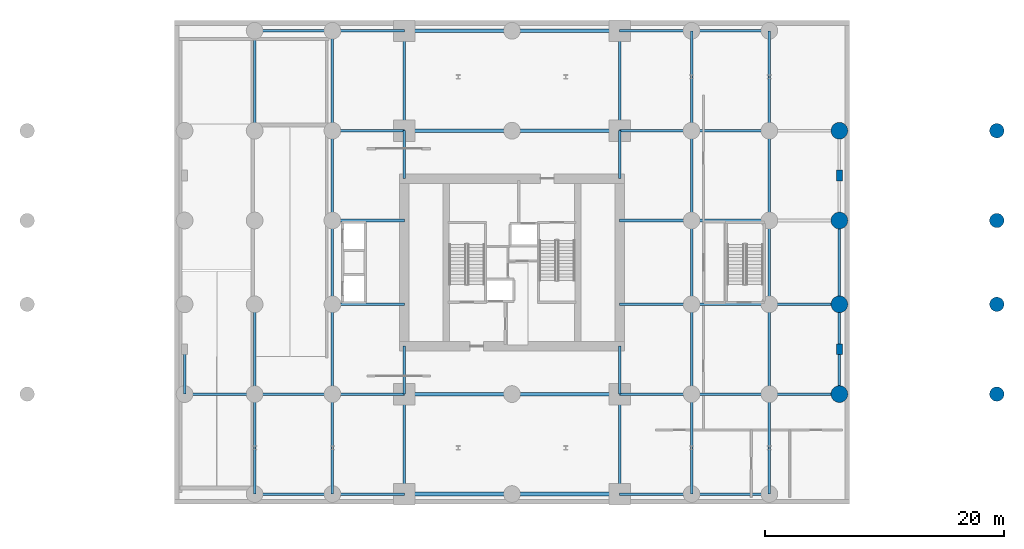
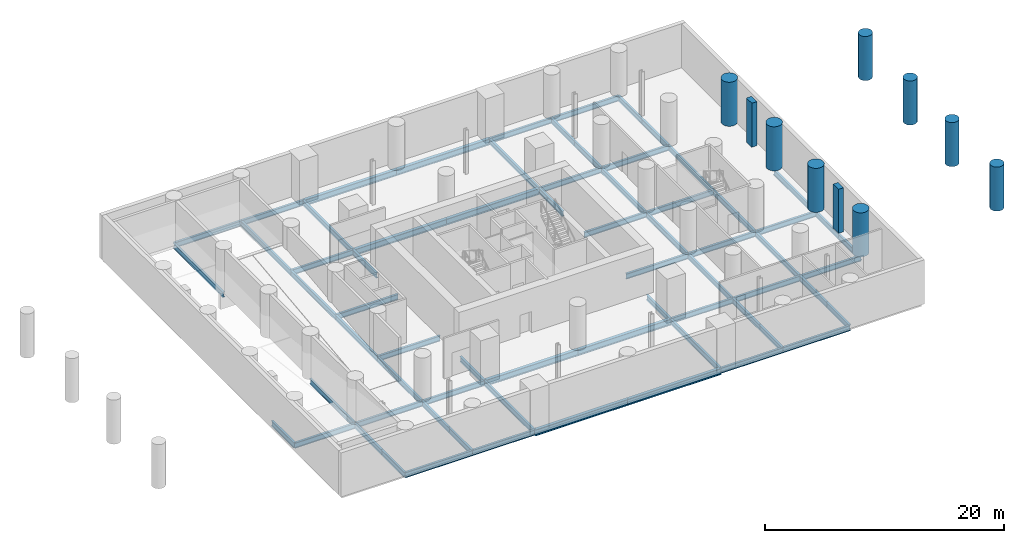
# One storey, part 4 of 8: 68 beams, 10 columns.
"""IFC4 building model written with IfcOpenShell, lengths in metres."""

import ifcopenshell
import ifcopenshell.guid

model = None  # the IFC model being written
_history = None  # IfcOwnerHistory: only IFC2X3 demands one
_inside = {}  # id of a spatial element -> (the spatial element, [elements in it])
_under = {}  # id of a project, library or spatial element -> (it, [spatial elements below it])
_declared = {}  # id of a project -> (the project, [libraries it declares])
_typed = {}  # id of a type object -> (the type object, [elements of that type])
_made_of = {}  # id of a material, layer set ... -> (it, [elements and type objects made of it])


def new_model(schema):
    """Start an empty IFC model of exactly this schema.

    Asked for "IFC4X3", IfcOpenShell would pick the latest addendum, in which some entities
    have other attributes; the version numbers below select the first issue.
    IFC2X3 requires an IfcOwnerHistory on every rooted entity: one is made here for all.
    """
    global model, _history
    if schema == "IFC4X3":
        model = ifcopenshell.file(schema_version=(4, 3, 0, 0))
    else:
        model = ifcopenshell.file(schema=schema)
    _inside.clear()
    _under.clear()
    _declared.clear()
    _typed.clear()
    _made_of.clear()
    _history = None
    if model.schema == "IFC2X3":
        org = make("IfcOrganization", Name="unknown")
        user = make(
            "IfcPersonAndOrganization",
            ThePerson=make("IfcPerson", FamilyName="unknown"),
            TheOrganization=org,
        )
        app = make(
            "IfcApplication",
            ApplicationDeveloper=org,
            Version="unknown",
            ApplicationFullName="unknown",
            ApplicationIdentifier="unknown",
        )
        _history = make(
            "IfcOwnerHistory",
            OwningUser=user,
            OwningApplication=app,
            ChangeAction="ADDED",
            CreationDate=0,
        )
    return model


def make(cls, **values):
    """One entity of the class cls with the attributes given. An attribute that is None is left unset."""
    return model.create_entity(
        cls, **{name: value for name, value in values.items() if value is not None}
    )


def rooted(cls, **values):
    """An entity with a GlobalId (a new one), such as an element, a storey or a relation."""
    return make(cls, GlobalId=ifcopenshell.guid.new(), OwnerHistory=_history, **values)


def si_unit(unit_type, name, prefix=None):
    """IfcSIUnit, for example si_unit("LENGTHUNIT", "METRE", prefix="MILLI")."""
    return make("IfcSIUnit", UnitType=unit_type, Prefix=prefix, Name=name)


def assignment(units):
    """IfcUnitAssignment: the units of a project."""
    return None if units is None else make("IfcUnitAssignment", Units=units)


def point(xyz):
    """IfcCartesianPoint."""
    return None if xyz is None else make("IfcCartesianPoint", Coordinates=xyz)


def direction(xyz):
    """IfcDirection."""
    return None if xyz is None else make("IfcDirection", DirectionRatios=xyz)


def frame(location, z_axis=None, x_axis=None):
    """IfcAxis2Placement3D, a coordinate frame: its origin and axes. An axis left out is left unset."""
    return make(
        "IfcAxis2Placement3D",
        Location=point(location),
        Axis=direction(z_axis),
        RefDirection=direction(x_axis),
    )


def frame_2d(location, x_axis=None):
    """IfcAxis2Placement2D, a coordinate frame in the plane: its origin and x axis."""
    return make(
        "IfcAxis2Placement2D", Location=point(location), RefDirection=direction(x_axis)
    )


def origin():
    """The frame at (0, 0, 0) with its axes left unset."""
    return frame((0.0, 0.0, 0.0))


def origin_2d():
    """The frame at (0, 0) in the plane with its x axis left unset."""
    return frame_2d((0.0, 0.0))


def place(relative_to, where):
    """IfcLocalPlacement: puts the frame where relative to a parent placement (None: the world)."""
    return make(
        "IfcLocalPlacement", PlacementRelTo=relative_to, RelativePlacement=where
    )


def context(
    kind, dimensions, precision=None, world=None, true_north=None, identifier=None
):
    """IfcGeometricRepresentationContext, for example the 3D "Model" context."""
    return make(
        "IfcGeometricRepresentationContext",
        ContextIdentifier=identifier,
        ContextType=kind,
        CoordinateSpaceDimension=dimensions,
        Precision=precision,
        WorldCoordinateSystem=world,
        TrueNorth=true_north,
    )


def subcontext(parent, identifier, kind, view, scale=None):
    """IfcGeometricRepresentationSubContext, for example "Body" below "Model"."""
    return make(
        "IfcGeometricRepresentationSubContext",
        ContextIdentifier=identifier,
        ContextType=kind,
        ParentContext=parent,
        TargetScale=scale,
        TargetView=view,
    )


def project(units=None, contexts=None):
    """IfcProject with its units and contexts."""
    return rooted(
        "IfcProject",
        Name="project",
        RepresentationContexts=contexts,
        UnitsInContext=assignment(units),
    )


def spatial(cls, under=None, at=None, **own):
    """A site, building, storey or space (cls), placed at a placement, below another one or the project."""
    s = rooted(cls, ObjectPlacement=at, **own)
    if under is not None:
        _under.setdefault(under.id(), (under, []))[1].append(s)
    return s


def profile(cls, at=None, kind="AREA", **sizes):
    """A parametric profile (cls). Its sizes go by their IFC names, for example OverallWidth=200.0."""
    return make(cls, ProfileType=kind, Position=at, **sizes)


def rectangle(**sizes):
    """IfcRectangleProfileDef."""
    return profile("IfcRectangleProfileDef", **sizes)


def circle(**sizes):
    """IfcCircleProfileDef."""
    return profile("IfcCircleProfileDef", **sizes)


def i_section(**sizes):
    """IfcIShapeProfileDef."""
    return profile("IfcIShapeProfileDef", **sizes)


def extrude(swept, where, along, depth):
    """IfcExtrudedAreaSolid: the profile swept, set in the frame where, extruded along a direction by depth."""
    return make(
        "IfcExtrudedAreaSolid",
        SweptArea=swept,
        Position=where,
        ExtrudedDirection=direction(along),
        Depth=depth,
    )


def shape(context_of_items, identifier, shape_type, items):
    """IfcShapeRepresentation: the items that make up one representation, for example the "Body"."""
    return make(
        "IfcShapeRepresentation",
        ContextOfItems=context_of_items,
        RepresentationIdentifier=identifier,
        RepresentationType=shape_type,
        Items=items,
    )


def material(Name=None, Category=None):
    """IfcMaterial."""
    return make("IfcMaterial", Name=Name, Category=Category)


def material_profile(
    of_material, cross_section, Name=None, Category=None, Priority=None
):
    """IfcMaterialProfile: a cross section and its material."""
    return make(
        "IfcMaterialProfile",
        Name=Name,
        Material=of_material,
        Profile=cross_section,
        Priority=Priority,
        Category=Category,
    )


def profile_set(profiles, Name=None, composite=None):
    """IfcMaterialProfileSet."""
    return make(
        "IfcMaterialProfileSet",
        Name=Name,
        MaterialProfiles=profiles,
        CompositeProfile=composite,
    )


def made_of(thing, what):
    """Note that an element or type object is made of a material, layer set ...; save() writes the relation."""
    if what is not None:
        _made_of.setdefault(what.id(), (what, []))[1].append(thing)
    return thing


def type_object(cls, material=None, **own):
    """A type object (cls), such as IfcWallType, which elements share."""
    return made_of(rooted(cls, **own), material)


def element(
    cls,
    number,
    at=None,
    inside=None,
    cuts=None,
    type_object=None,
    material=None,
    context=None,
    identifier="Body",
    shape_type=None,
    held_by="IfcProductDefinitionShape",
    body=None,
    shapes=None,
    **own,
):
    """One element of the class cls, such as IfcWall. Its Tag is "e" and its number.

    at: its placement. inside: the storey or other place that contains it. cuts: it is an
    opening in that element (IfcRelVoidsElement). A single representation is given by context,
    identifier, shape_type and body (its items); several are given by shapes. held_by: the class
    of the entity that holds the representations. save() writes the other relations.
    """
    e = rooted(cls, Tag="e%d" % number, ObjectPlacement=at, **own)
    if body is not None:
        shapes = [shape(context, identifier, shape_type, body)]
    if shapes is not None:
        e.Representation = make(held_by, Representations=shapes)
    if inside is not None:
        _inside.setdefault(inside.id(), (inside, []))[1].append(e)
    if cuts is not None:
        rooted(
            "IfcRelVoidsElement", RelatingBuildingElement=cuts, RelatedOpeningElement=e
        )
    if type_object is not None:
        _typed.setdefault(type_object.id(), (type_object, []))[1].append(e)
    return made_of(e, material)


def aggregate(whole, parts):
    """IfcRelAggregates: a whole, such as a stair, and the parts it consists of."""
    return rooted("IfcRelAggregates", RelatingObject=whole, RelatedObjects=parts)


def save(model, path):
    """Write the relations noted so far, then the file.

    IfcRelAggregates (storeys below a building ...), IfcRelContainedInSpatialStructure (elements
    in a storey), IfcRelDefinesByType, IfcRelAssociatesMaterial and IfcRelDeclares: one each for
    every whole, place, type object, material and project.
    """
    for whole, parts in _under.values():
        aggregate(whole, parts)
    for where, things in _inside.values():
        rooted(
            "IfcRelContainedInSpatialStructure",
            RelatedElements=things,
            RelatingStructure=where,
        )
    for kind, things in _typed.values():
        rooted("IfcRelDefinesByType", RelatedObjects=things, RelatingType=kind)
    for what, things in _made_of.values():
        rooted("IfcRelAssociatesMaterial", RelatedObjects=things, RelatingMaterial=what)
    for by, libraries in _declared.values():
        rooted("IfcRelDeclares", RelatingContext=by, RelatedDefinitions=libraries)
    model.write(path)


model = new_model("IFC4")

# Units and contexts
model_context = context("Model", 3, precision=1e-05, world=origin(), true_north=direction((0.0, 1.0)))
body_context = subcontext(model_context, "Body", "Model", "MODEL_VIEW")
ifc_project = project(units=[si_unit("LENGTHUNIT", "METRE"), si_unit("AREAUNIT", "SQUARE_METRE"), si_unit("VOLUMEUNIT", "CUBIC_METRE"), si_unit("PLANEANGLEUNIT", "RADIAN"), si_unit("MASSUNIT", "GRAM", prefix="KILO")], contexts=[model_context])

# Site, building, storey
site_placement = place(None, origin())
site = spatial("IfcSite", under=ifc_project, at=site_placement, CompositionType="ELEMENT")
building_placement = place(site_placement, origin())
building = spatial("IfcBuilding", under=site, at=building_placement, Name="Veldorim Arch Residences", CompositionType="ELEMENT")
storey_placement = place(building_placement, frame((0.0, 0.0, -4.5)))
storey = spatial("IfcBuildingStorey", under=building, at=storey_placement, Name="B1", CompositionType="ELEMENT", Elevation=-4.5)

# Columns
ifc_material_1 = material(Name="Concrete C60/75", Category="concrete")
ifc_material_profile_1 = material_profile(ifc_material_1, circle(Radius=0.60009765625, at=origin_2d()), Name="RC_CIRC_1200")
ifc_profile_set_1 = profile_set([ifc_material_profile_1], Name="Concrete C60/75")
column_type_1 = type_object("IfcColumnType", Name="Structural Column RC_CIRC_1200", PredefinedType="COLUMN", material=ifc_profile_set_1)
for number, where, z_axis, x_axis, name in (
    (1, (72.5, 13.0, 0.0), (0.0, 0.0, 1.0), (1.0, 0.0, 0.0), "B1 porte-cochere canopy column 05"),
    (2, (72.5, 20.5, 0.0), (0.0, 0.0, 1.0), (1.0, 0.0, 0.0), "B1 porte-cochere canopy column 06"),
    (3, (72.5, 27.5, 0.0), (0.0, 0.0, 1.0), (1.0, 0.0, 0.0), "B1 porte-cochere canopy column 07"),
    (4, (72.5, 35.0, 0.0), (0.0, 0.0, 1.0), (1.0, 0.0, 0.0), "B1 porte-cochere canopy column 08"),
):
    element("IfcColumn", number, at=place(storey_placement, frame(where, z_axis=z_axis, x_axis=x_axis)), inside=storey, type_object=column_type_1, Name=name, PredefinedType="COLUMN", context=body_context, shape_type="SweptSolid", body=[
        extrude(circle(Radius=0.60009765625, at=origin_2d()), origin(), (0.0, 0.0, 1.0), 4.5),
    ])
ifc_material_2 = material(Name="Concrete C60/75", Category="concrete")
ifc_material_profile_2 = material_profile(ifc_material_2, circle(Radius=0.699951171875, at=origin_2d()), Name="RC_CIRC_1400")
ifc_profile_set_2 = profile_set([ifc_material_profile_2], Name="Concrete C60/75")
column_type_2 = type_object("IfcColumnType", Name="Structural Column RC_CIRC_1400", PredefinedType="COLUMN", material=ifc_profile_set_2)
for number, where, z_axis, x_axis, name in (
    (5, (59.35009765625, 13.0, 0.0), (0.0, 0.0, 1.0), (1.0, 0.0, 0.0), "B1 podium column (59.35, 13.00)"),
    (6, (59.35009765625, 20.5, 0.0), (0.0, 0.0, 1.0), (1.0, 0.0, 0.0), "B1 podium column (59.35, 20.50)"),
    (7, (59.35009765625, 27.5, 0.0), (0.0, 0.0, 1.0), (1.0, 0.0, 0.0), "B1 podium column (59.35, 27.50)"),
    (8, (59.35009765625, 35.0, 0.0), (0.0, 0.0, 1.0), (1.0, 0.0, 0.0), "B1 podium column (59.35, 35.00)"),
):
    element("IfcColumn", number, at=place(storey_placement, frame(where, z_axis=z_axis, x_axis=x_axis)), inside=storey, type_object=column_type_2, Name=name, PredefinedType="COLUMN", context=body_context, shape_type="SweptSolid", body=[
        extrude(circle(Radius=0.699951171875, at=origin_2d()), origin(), (0.0, 0.0, 1.0), 4.5),
    ])
ifc_material_3 = material(Name="Concrete C60/75", Category="concrete")
ifc_material_profile_3 = material_profile(ifc_material_3, rectangle(XDim=0.5, YDim=0.89990234375, at=origin_2d()), Name="RC_RECT_500x900")
ifc_profile_set_3 = profile_set([ifc_material_profile_3], Name="Concrete C60/75")
column_type_3 = type_object("IfcColumnType", Name="Structural Pilaster RC_RECT_500x900", PredefinedType="PILASTER", material=ifc_profile_set_3)
for number, where, z_axis, x_axis, name in (
    (9, (59.35009765625, 16.75, 0.0), (0.0, 0.0, 1.0), (1.0, 0.0, 0.0), "B1 facade structural pilaster (59.35, 16.75)"),
    (10, (59.35009765625, 31.25, 0.0), (0.0, 0.0, 1.0), (1.0, 0.0, 0.0), "B1 facade structural pilaster (59.35, 31.25)"),
):
    element("IfcColumn", number, at=place(storey_placement, frame(where, z_axis=z_axis, x_axis=x_axis)), inside=storey, type_object=column_type_3, Name=name, PredefinedType="PILASTER", context=body_context, shape_type="SweptSolid", body=[
        extrude(rectangle(XDim=0.5, YDim=0.89990234375, at=origin_2d()), origin(), (0.0, 0.0, 1.0), 4.5),
    ])

# Beams
ifc_material_4 = material(Name="Steel S355", Category="steel")
ifc_material_profile_4 = material_profile(ifc_material_4, i_section(OverallWidth=0.2099609375, OverallDepth=0.53662109375, WebThickness=0.0107421875, FlangeThickness=0.017333984375, at=origin_2d()), Name="UB533x210x101")
ifc_profile_set_4 = profile_set([ifc_material_profile_4], Name="Steel S355")
beam_type_1 = type_object("IfcBeamType", Name="Structural Steel Beam UB533x210x101", PredefinedType="BEAM", material=ifc_profile_set_4)
beam_1_placement = place(storey_placement, frame((4.64990234375, 13.0, -0.568359375), z_axis=(0.0, 1.0, 0.0), x_axis=(-1.0, 0.0, 0.0)))
element("IfcBeam", 11, at=beam_1_placement, inside=storey, type_object=beam_type_1, Name="B1 north-south floor beam (X=4.7, 13.0-16.8)", PredefinedType="BEAM", context=body_context, shape_type="SweptSolid", body=[
    extrude(i_section(OverallWidth=0.2099609375, OverallDepth=0.53662109375, WebThickness=0.0107421875, FlangeThickness=0.017333984375, at=origin_2d()), origin(), (0.0, 0.0, 1.0), 3.75),
])
beam_2_placement = place(storey_placement, frame((10.5, 4.64990234375, -0.568359375), z_axis=(0.0, 1.0, 0.0), x_axis=(-1.0, 0.0, 0.0)))
element("IfcBeam", 12, at=beam_2_placement, inside=storey, type_object=beam_type_1, Name="B1 north-south floor beam (X=10.5, 4.7-8.5)", PredefinedType="BEAM", context=body_context, shape_type="SweptSolid", body=[
    extrude(i_section(OverallWidth=0.2099609375, OverallDepth=0.53662109375, WebThickness=0.0107421875, FlangeThickness=0.017333984375, at=origin_2d()), origin(), (0.0, 0.0, 1.0), 3.85009765625),
])
beam_3_placement = place(storey_placement, frame((10.5, 8.5, -0.568359375), z_axis=(0.0, 1.0, 0.0), x_axis=(-1.0, 0.0, 0.0)))
element("IfcBeam", 13, at=beam_3_placement, inside=storey, type_object=beam_type_1, Name="B1 north-south floor beam (X=10.5, 8.5-13.0)", PredefinedType="BEAM", context=body_context, shape_type="SweptSolid", body=[
    extrude(i_section(OverallWidth=0.2099609375, OverallDepth=0.53662109375, WebThickness=0.0107421875, FlangeThickness=0.017333984375, at=origin_2d()), origin(), (0.0, 0.0, 1.0), 4.5),
])
beam_4_placement = place(storey_placement, frame((10.5, 13.0, -0.568359375), z_axis=(0.0, 1.0, 0.0), x_axis=(-1.0, 0.0, 0.0)))
element("IfcBeam", 14, at=beam_4_placement, inside=storey, type_object=beam_type_1, Name="B1 north-south floor beam (X=10.5, 13.0-20.5)", PredefinedType="BEAM", context=body_context, shape_type="SweptSolid", body=[
    extrude(i_section(OverallWidth=0.2099609375, OverallDepth=0.53662109375, WebThickness=0.0107421875, FlangeThickness=0.017333984375, at=origin_2d()), origin(), (0.0, 0.0, 1.0), 7.5),
])
beam_5_placement = place(storey_placement, frame((10.5, 35.0, -0.568359375), z_axis=(0.0, 1.0, 0.0), x_axis=(-1.0, 0.0, 0.0)))
element("IfcBeam", 15, at=beam_5_placement, inside=storey, type_object=beam_type_1, Name="B1 north-south floor beam (X=10.5, 35.0-43.4)", PredefinedType="BEAM", context=body_context, shape_type="SweptSolid", body=[
    extrude(i_section(OverallWidth=0.2099609375, OverallDepth=0.53662109375, WebThickness=0.0107421875, FlangeThickness=0.017333984375, at=origin_2d()), origin(), (0.0, 0.0, 1.0), 8.35009765625),
])
beam_6_placement = place(storey_placement, frame((17.0, 4.64990234375, -0.568359375), z_axis=(0.0, 1.0, 0.0), x_axis=(-1.0, 0.0, 0.0)))
element("IfcBeam", 16, at=beam_6_placement, inside=storey, type_object=beam_type_1, Name="B1 north-south floor beam (X=17.0, 4.7-8.5)", PredefinedType="BEAM", context=body_context, shape_type="SweptSolid", body=[
    extrude(i_section(OverallWidth=0.2099609375, OverallDepth=0.53662109375, WebThickness=0.0107421875, FlangeThickness=0.017333984375, at=origin_2d()), origin(), (0.0, 0.0, 1.0), 3.85009765625),
])
beam_7_placement = place(storey_placement, frame((17.0, 8.5, -0.568359375), z_axis=(0.0, 1.0, 0.0), x_axis=(-1.0, 0.0, 0.0)))
element("IfcBeam", 17, at=beam_7_placement, inside=storey, type_object=beam_type_1, Name="B1 north-south floor beam (X=17.0, 8.5-13.0)", PredefinedType="BEAM", context=body_context, shape_type="SweptSolid", body=[
    extrude(i_section(OverallWidth=0.2099609375, OverallDepth=0.53662109375, WebThickness=0.0107421875, FlangeThickness=0.017333984375, at=origin_2d()), origin(), (0.0, 0.0, 1.0), 4.5),
])
beam_8_placement = place(storey_placement, frame((17.0, 13.0, -0.568359375), z_axis=(0.0, 1.0, 0.0), x_axis=(-1.0, 0.0, 0.0)))
element("IfcBeam", 18, at=beam_8_placement, inside=storey, type_object=beam_type_1, Name="B1 north-south floor beam (X=17.0, 13.0-20.5)", PredefinedType="BEAM", context=body_context, shape_type="SweptSolid", body=[
    extrude(i_section(OverallWidth=0.2099609375, OverallDepth=0.53662109375, WebThickness=0.0107421875, FlangeThickness=0.017333984375, at=origin_2d()), origin(), (0.0, 0.0, 1.0), 7.5),
])
beam_9_placement = place(storey_placement, frame((17.0, 20.5, -0.568359375), z_axis=(0.0, 1.0, 0.0), x_axis=(-1.0, 0.0, 0.0)))
element("IfcBeam", 19, at=beam_9_placement, inside=storey, type_object=beam_type_1, Name="B1 north-south floor beam (X=17.0, 20.5-27.5)", PredefinedType="BEAM", context=body_context, shape_type="SweptSolid", body=[
    extrude(i_section(OverallWidth=0.2099609375, OverallDepth=0.53662109375, WebThickness=0.0107421875, FlangeThickness=0.017333984375, at=origin_2d()), origin(), (0.0, 0.0, 1.0), 7.0),
])
beam_10_placement = place(storey_placement, frame((17.0, 27.5, -0.568359375), z_axis=(0.0, 1.0, 0.0), x_axis=(-1.0, 0.0, 0.0)))
element("IfcBeam", 20, at=beam_10_placement, inside=storey, type_object=beam_type_1, Name="B1 north-south floor beam (X=17.0, 27.5-35.0)", PredefinedType="BEAM", context=body_context, shape_type="SweptSolid", body=[
    extrude(i_section(OverallWidth=0.2099609375, OverallDepth=0.53662109375, WebThickness=0.0107421875, FlangeThickness=0.017333984375, at=origin_2d()), origin(), (0.0, 0.0, 1.0), 7.5),
])
for number, where, z_axis, x_axis, name in (
    (21, (17.0, 35.0, -0.568359375), (0.0, 1.0, 0.0), (-1.0, 0.0, 0.0), "B1 north-south floor beam (X=17.0, 35.0-43.4)"),
    (22, (23.0, 4.64990234375, -0.568359375), (0.0, 1.0, 0.0), (-1.0, 0.0, 0.0), "B1 north-south floor beam (X=23.0, 4.7-13.0)"),
):
    element("IfcBeam", number, at=place(storey_placement, frame(where, z_axis=z_axis, x_axis=x_axis)), inside=storey, type_object=beam_type_1, Name=name, PredefinedType="BEAM", context=body_context, shape_type="SweptSolid", body=[
        extrude(i_section(OverallWidth=0.2099609375, OverallDepth=0.53662109375, WebThickness=0.0107421875, FlangeThickness=0.017333984375, at=origin_2d()), origin(), (0.0, 0.0, 1.0), 8.35009765625),
    ])
for number, where, z_axis, x_axis, name in (
    (23, (23.0, 13.0, -0.568359375), (0.0, 1.0, 0.0), (-1.0, 0.0, 0.0), "B1 north-south floor beam (X=23.0, 13.0-17.0)"),
    (24, (23.0, 31.0, -0.568359375), (0.0, 1.0, 0.0), (-1.0, 0.0, 0.0), "B1 north-south floor beam (X=23.0, 31.0-35.0)"),
):
    element("IfcBeam", number, at=place(storey_placement, frame(where, z_axis=z_axis, x_axis=x_axis)), inside=storey, type_object=beam_type_1, Name=name, PredefinedType="BEAM", context=body_context, shape_type="SweptSolid", body=[
        extrude(i_section(OverallWidth=0.2099609375, OverallDepth=0.53662109375, WebThickness=0.0107421875, FlangeThickness=0.017333984375, at=origin_2d()), origin(), (0.0, 0.0, 1.0), 4.0),
    ])
for number, where, z_axis, x_axis, name in (
    (25, (23.0, 35.0, -0.568359375), (0.0, 1.0, 0.0), (-1.0, 0.0, 0.0), "B1 north-south floor beam (X=23.0, 35.0-43.4)"),
    (26, (41.0, 4.64990234375, -0.568359375), (0.0, 1.0, 0.0), (-1.0, 0.0, 0.0), "B1 north-south floor beam (X=41.0, 4.7-13.0)"),
):
    element("IfcBeam", number, at=place(storey_placement, frame(where, z_axis=z_axis, x_axis=x_axis)), inside=storey, type_object=beam_type_1, Name=name, PredefinedType="BEAM", context=body_context, shape_type="SweptSolid", body=[
        extrude(i_section(OverallWidth=0.2099609375, OverallDepth=0.53662109375, WebThickness=0.0107421875, FlangeThickness=0.017333984375, at=origin_2d()), origin(), (0.0, 0.0, 1.0), 8.35009765625),
    ])
for number, where, z_axis, x_axis, name in (
    (27, (41.0, 13.0, -0.568359375), (0.0, 1.0, 0.0), (-1.0, 0.0, 0.0), "B1 north-south floor beam (X=41.0, 13.0-17.0)"),
    (28, (41.0, 31.0, -0.568359375), (0.0, 1.0, 0.0), (-1.0, 0.0, 0.0), "B1 north-south floor beam (X=41.0, 31.0-35.0)"),
):
    element("IfcBeam", number, at=place(storey_placement, frame(where, z_axis=z_axis, x_axis=x_axis)), inside=storey, type_object=beam_type_1, Name=name, PredefinedType="BEAM", context=body_context, shape_type="SweptSolid", body=[
        extrude(i_section(OverallWidth=0.2099609375, OverallDepth=0.53662109375, WebThickness=0.0107421875, FlangeThickness=0.017333984375, at=origin_2d()), origin(), (0.0, 0.0, 1.0), 4.0),
    ])
beam_11_placement = place(storey_placement, frame((41.0, 35.0, -0.568359375), z_axis=(0.0, 1.0, 0.0), x_axis=(-1.0, 0.0, 0.0)))
element("IfcBeam", 29, at=beam_11_placement, inside=storey, type_object=beam_type_1, Name="B1 north-south floor beam (X=41.0, 35.0-43.4)", PredefinedType="BEAM", context=body_context, shape_type="SweptSolid", body=[
    extrude(i_section(OverallWidth=0.2099609375, OverallDepth=0.53662109375, WebThickness=0.0107421875, FlangeThickness=0.017333984375, at=origin_2d()), origin(), (0.0, 0.0, 1.0), 8.35009765625),
])
beam_12_placement = place(storey_placement, frame((47.0, 4.64990234375, -0.568359375), z_axis=(0.0, 1.0, 0.0), x_axis=(-1.0, 0.0, 0.0)))
element("IfcBeam", 30, at=beam_12_placement, inside=storey, type_object=beam_type_1, Name="B1 north-south floor beam (X=47.0, 4.7-8.5)", PredefinedType="BEAM", context=body_context, shape_type="SweptSolid", body=[
    extrude(i_section(OverallWidth=0.2099609375, OverallDepth=0.53662109375, WebThickness=0.0107421875, FlangeThickness=0.017333984375, at=origin_2d()), origin(), (0.0, 0.0, 1.0), 3.85009765625),
])
beam_13_placement = place(storey_placement, frame((47.0, 8.5, -0.568359375), z_axis=(0.0, 1.0, 0.0), x_axis=(-1.0, 0.0, 0.0)))
element("IfcBeam", 31, at=beam_13_placement, inside=storey, type_object=beam_type_1, Name="B1 north-south floor beam (X=47.0, 8.5-13.0)", PredefinedType="BEAM", context=body_context, shape_type="SweptSolid", body=[
    extrude(i_section(OverallWidth=0.2099609375, OverallDepth=0.53662109375, WebThickness=0.0107421875, FlangeThickness=0.017333984375, at=origin_2d()), origin(), (0.0, 0.0, 1.0), 4.5),
])
beam_14_placement = place(storey_placement, frame((47.0, 13.0, -0.568359375), z_axis=(0.0, 1.0, 0.0), x_axis=(-1.0, 0.0, 0.0)))
element("IfcBeam", 32, at=beam_14_placement, inside=storey, type_object=beam_type_1, Name="B1 north-south floor beam (X=47.0, 13.0-20.5)", PredefinedType="BEAM", context=body_context, shape_type="SweptSolid", body=[
    extrude(i_section(OverallWidth=0.2099609375, OverallDepth=0.53662109375, WebThickness=0.0107421875, FlangeThickness=0.017333984375, at=origin_2d()), origin(), (0.0, 0.0, 1.0), 7.5),
])
beam_15_placement = place(storey_placement, frame((47.0, 20.5, -0.568359375), z_axis=(0.0, 1.0, 0.0), x_axis=(-1.0, 0.0, 0.0)))
element("IfcBeam", 33, at=beam_15_placement, inside=storey, type_object=beam_type_1, Name="B1 north-south floor beam (X=47.0, 20.5-27.5)", PredefinedType="BEAM", context=body_context, shape_type="SweptSolid", body=[
    extrude(i_section(OverallWidth=0.2099609375, OverallDepth=0.53662109375, WebThickness=0.0107421875, FlangeThickness=0.017333984375, at=origin_2d()), origin(), (0.0, 0.0, 1.0), 7.0),
])
beam_16_placement = place(storey_placement, frame((47.0, 27.5, -0.568359375), z_axis=(0.0, 1.0, 0.0), x_axis=(-1.0, 0.0, 0.0)))
element("IfcBeam", 34, at=beam_16_placement, inside=storey, type_object=beam_type_1, Name="B1 north-south floor beam (X=47.0, 27.5-35.0)", PredefinedType="BEAM", context=body_context, shape_type="SweptSolid", body=[
    extrude(i_section(OverallWidth=0.2099609375, OverallDepth=0.53662109375, WebThickness=0.0107421875, FlangeThickness=0.017333984375, at=origin_2d()), origin(), (0.0, 0.0, 1.0), 7.5),
])
beam_17_placement = place(storey_placement, frame((47.0, 35.0, -0.568359375), z_axis=(0.0, 1.0, 0.0), x_axis=(-1.0, 0.0, 0.0)))
element("IfcBeam", 35, at=beam_17_placement, inside=storey, type_object=beam_type_1, Name="B1 north-south floor beam (X=47.0, 35.0-39.5)", PredefinedType="BEAM", context=body_context, shape_type="SweptSolid", body=[
    extrude(i_section(OverallWidth=0.2099609375, OverallDepth=0.53662109375, WebThickness=0.0107421875, FlangeThickness=0.017333984375, at=origin_2d()), origin(), (0.0, 0.0, 1.0), 4.5),
])
for number, where, z_axis, x_axis, name in (
    (36, (47.0, 39.5, -0.568359375), (0.0, 1.0, 0.0), (-1.0, 0.0, 0.0), "B1 north-south floor beam (X=47.0, 39.5-43.4)"),
    (37, (53.5, 4.64990234375, -0.568359375), (0.0, 1.0, 0.0), (-1.0, 0.0, 0.0), "B1 north-south floor beam (X=53.5, 4.7-8.5)"),
):
    element("IfcBeam", number, at=place(storey_placement, frame(where, z_axis=z_axis, x_axis=x_axis)), inside=storey, type_object=beam_type_1, Name=name, PredefinedType="BEAM", context=body_context, shape_type="SweptSolid", body=[
        extrude(i_section(OverallWidth=0.2099609375, OverallDepth=0.53662109375, WebThickness=0.0107421875, FlangeThickness=0.017333984375, at=origin_2d()), origin(), (0.0, 0.0, 1.0), 3.85009765625),
    ])
beam_18_placement = place(storey_placement, frame((53.5, 8.5, -0.568359375), z_axis=(0.0, 1.0, 0.0), x_axis=(-1.0, 0.0, 0.0)))
element("IfcBeam", 38, at=beam_18_placement, inside=storey, type_object=beam_type_1, Name="B1 north-south floor beam (X=53.5, 8.5-13.0)", PredefinedType="BEAM", context=body_context, shape_type="SweptSolid", body=[
    extrude(i_section(OverallWidth=0.2099609375, OverallDepth=0.53662109375, WebThickness=0.0107421875, FlangeThickness=0.017333984375, at=origin_2d()), origin(), (0.0, 0.0, 1.0), 4.5),
])
beam_19_placement = place(storey_placement, frame((53.5, 13.0, -0.568359375), z_axis=(0.0, 1.0, 0.0), x_axis=(-1.0, 0.0, 0.0)))
element("IfcBeam", 39, at=beam_19_placement, inside=storey, type_object=beam_type_1, Name="B1 north-south floor beam (X=53.5, 13.0-20.5)", PredefinedType="BEAM", context=body_context, shape_type="SweptSolid", body=[
    extrude(i_section(OverallWidth=0.2099609375, OverallDepth=0.53662109375, WebThickness=0.0107421875, FlangeThickness=0.017333984375, at=origin_2d()), origin(), (0.0, 0.0, 1.0), 7.5),
])
beam_20_placement = place(storey_placement, frame((53.5, 20.5, -0.568359375), z_axis=(0.0, 1.0, 0.0), x_axis=(-1.0, 0.0, 0.0)))
element("IfcBeam", 40, at=beam_20_placement, inside=storey, type_object=beam_type_1, Name="B1 north-south floor beam (X=53.5, 20.5-27.5)", PredefinedType="BEAM", context=body_context, shape_type="SweptSolid", body=[
    extrude(i_section(OverallWidth=0.2099609375, OverallDepth=0.53662109375, WebThickness=0.0107421875, FlangeThickness=0.017333984375, at=origin_2d()), origin(), (0.0, 0.0, 1.0), 7.0),
])
beam_21_placement = place(storey_placement, frame((53.5, 27.5, -0.568359375), z_axis=(0.0, 1.0, 0.0), x_axis=(-1.0, 0.0, 0.0)))
element("IfcBeam", 41, at=beam_21_placement, inside=storey, type_object=beam_type_1, Name="B1 north-south floor beam (X=53.5, 27.5-35.0)", PredefinedType="BEAM", context=body_context, shape_type="SweptSolid", body=[
    extrude(i_section(OverallWidth=0.2099609375, OverallDepth=0.53662109375, WebThickness=0.0107421875, FlangeThickness=0.017333984375, at=origin_2d()), origin(), (0.0, 0.0, 1.0), 7.5),
])
beam_22_placement = place(storey_placement, frame((53.5, 35.0, -0.568359375), z_axis=(0.0, 1.0, 0.0), x_axis=(-1.0, 0.0, 0.0)))
element("IfcBeam", 42, at=beam_22_placement, inside=storey, type_object=beam_type_1, Name="B1 north-south floor beam (X=53.5, 35.0-39.5)", PredefinedType="BEAM", context=body_context, shape_type="SweptSolid", body=[
    extrude(i_section(OverallWidth=0.2099609375, OverallDepth=0.53662109375, WebThickness=0.0107421875, FlangeThickness=0.017333984375, at=origin_2d()), origin(), (0.0, 0.0, 1.0), 4.5),
])
beam_23_placement = place(storey_placement, frame((53.5, 39.5, -0.568359375), z_axis=(0.0, 1.0, 0.0), x_axis=(-1.0, 0.0, 0.0)))
element("IfcBeam", 43, at=beam_23_placement, inside=storey, type_object=beam_type_1, Name="B1 north-south floor beam (X=53.5, 39.5-43.4)", PredefinedType="BEAM", context=body_context, shape_type="SweptSolid", body=[
    extrude(i_section(OverallWidth=0.2099609375, OverallDepth=0.53662109375, WebThickness=0.0107421875, FlangeThickness=0.017333984375, at=origin_2d()), origin(), (0.0, 0.0, 1.0), 3.85009765625),
])
for number, where, z_axis, x_axis, name in (
    (44, (59.35009765625, 13.0, -0.568359375), (0.0, 1.0, 0.0), (-1.0, 0.0, 0.0), "B1 north-south floor beam (X=59.4, 13.0-16.8)"),
    (45, (59.35009765625, 16.75, -0.568359375), (0.0, 1.0, 0.0), (-1.0, 0.0, 0.0), "B1 north-south floor beam (X=59.4, 16.8-20.5)"),
):
    element("IfcBeam", number, at=place(storey_placement, frame(where, z_axis=z_axis, x_axis=x_axis)), inside=storey, type_object=beam_type_1, Name=name, PredefinedType="BEAM", context=body_context, shape_type="SweptSolid", body=[
        extrude(i_section(OverallWidth=0.2099609375, OverallDepth=0.53662109375, WebThickness=0.0107421875, FlangeThickness=0.017333984375, at=origin_2d()), origin(), (0.0, 0.0, 1.0), 3.75),
    ])
beam_24_placement = place(storey_placement, frame((59.35009765625, 20.5, -0.568359375), z_axis=(0.0, 1.0, 0.0), x_axis=(-1.0, 0.0, 0.0)))
element("IfcBeam", 46, at=beam_24_placement, inside=storey, type_object=beam_type_1, Name="B1 north-south floor beam (X=59.4, 20.5-27.5)", PredefinedType="BEAM", context=body_context, shape_type="SweptSolid", body=[
    extrude(i_section(OverallWidth=0.2099609375, OverallDepth=0.53662109375, WebThickness=0.0107421875, FlangeThickness=0.017333984375, at=origin_2d()), origin(), (0.0, 0.0, 1.0), 7.0),
])
ifc_material_5 = material(Name="Steel S355", Category="steel")
ifc_material_profile_5 = material_profile(ifc_material_5, i_section(OverallWidth=0.2119140625, OverallDepth=0.54443359375, WebThickness=0.0126953125, FlangeThickness=0.021240234375, at=origin_2d()), Name="UB533x210x122")
ifc_profile_set_5 = profile_set([ifc_material_profile_5], Name="Steel S355")
beam_type_2 = type_object("IfcBeamType", Name="Structural Steel Beam UB533x210x122", PredefinedType="BEAM", material=ifc_profile_set_5)
beam_25_placement = place(storey_placement, frame((10.5, 4.64990234375, -0.572265625), z_axis=(1.0, 0.0, 0.0), x_axis=(0.0, 1.0, 0.0)))
element("IfcBeam", 47, at=beam_25_placement, inside=storey, type_object=beam_type_2, Name="B1 east-west floor beam (10.5-17.0, Y=4.7)", PredefinedType="BEAM", context=body_context, shape_type="SweptSolid", body=[
    extrude(i_section(OverallWidth=0.2119140625, OverallDepth=0.54443359375, WebThickness=0.0126953125, FlangeThickness=0.021240234375, at=origin_2d()), origin(), (0.0, 0.0, 1.0), 6.5),
])
for number, where, z_axis, x_axis, name in (
    (48, (17.0, 4.64990234375, -0.572265625), (1.0, 0.0, 0.0), (0.0, 1.0, 0.0), "B1 east-west floor beam (17.0-23.0, Y=4.7)"),
    (49, (41.0, 4.64990234375, -0.572265625), (1.0, 0.0, 0.0), (0.0, 1.0, 0.0), "B1 east-west floor beam (41.0-47.0, Y=4.7)"),
):
    element("IfcBeam", number, at=place(storey_placement, frame(where, z_axis=z_axis, x_axis=x_axis)), inside=storey, type_object=beam_type_2, Name=name, PredefinedType="BEAM", context=body_context, shape_type="SweptSolid", body=[
        extrude(i_section(OverallWidth=0.2119140625, OverallDepth=0.54443359375, WebThickness=0.0126953125, FlangeThickness=0.021240234375, at=origin_2d()), origin(), (0.0, 0.0, 1.0), 6.0),
    ])
beam_26_placement = place(storey_placement, frame((47.0, 4.64990234375, -0.572265625), z_axis=(1.0, 0.0, 0.0), x_axis=(0.0, 1.0, 0.0)))
element("IfcBeam", 50, at=beam_26_placement, inside=storey, type_object=beam_type_2, Name="B1 east-west floor beam (47.0-53.5, Y=4.7)", PredefinedType="BEAM", context=body_context, shape_type="SweptSolid", body=[
    extrude(i_section(OverallWidth=0.2119140625, OverallDepth=0.54443359375, WebThickness=0.0126953125, FlangeThickness=0.021240234375, at=origin_2d()), origin(), (0.0, 0.0, 1.0), 6.5),
])
beam_27_placement = place(storey_placement, frame((4.64990234375, 13.0, -0.572265625), z_axis=(1.0, 0.0, 0.0), x_axis=(0.0, 1.0, 0.0)))
element("IfcBeam", 51, at=beam_27_placement, inside=storey, type_object=beam_type_2, Name="B1 east-west floor beam (4.7-10.5, Y=13.0)", PredefinedType="BEAM", context=body_context, shape_type="SweptSolid", body=[
    extrude(i_section(OverallWidth=0.2119140625, OverallDepth=0.54443359375, WebThickness=0.0126953125, FlangeThickness=0.021240234375, at=origin_2d()), origin(), (0.0, 0.0, 1.0), 5.85009765625),
])
beam_28_placement = place(storey_placement, frame((10.5, 13.0, -0.572265625), z_axis=(1.0, 0.0, 0.0), x_axis=(0.0, 1.0, 0.0)))
element("IfcBeam", 52, at=beam_28_placement, inside=storey, type_object=beam_type_2, Name="B1 east-west floor beam (10.5-17.0, Y=13.0)", PredefinedType="BEAM", context=body_context, shape_type="SweptSolid", body=[
    extrude(i_section(OverallWidth=0.2119140625, OverallDepth=0.54443359375, WebThickness=0.0126953125, FlangeThickness=0.021240234375, at=origin_2d()), origin(), (0.0, 0.0, 1.0), 6.5),
])
for number, where, z_axis, x_axis, name in (
    (53, (17.0, 13.0, -0.572265625), (1.0, 0.0, 0.0), (0.0, 1.0, 0.0), "B1 east-west floor beam (17.0-23.0, Y=13.0)"),
    (54, (41.0, 13.0, -0.572265625), (1.0, 0.0, 0.0), (0.0, 1.0, 0.0), "B1 east-west floor beam (41.0-47.0, Y=13.0)"),
):
    element("IfcBeam", number, at=place(storey_placement, frame(where, z_axis=z_axis, x_axis=x_axis)), inside=storey, type_object=beam_type_2, Name=name, PredefinedType="BEAM", context=body_context, shape_type="SweptSolid", body=[
        extrude(i_section(OverallWidth=0.2119140625, OverallDepth=0.54443359375, WebThickness=0.0126953125, FlangeThickness=0.021240234375, at=origin_2d()), origin(), (0.0, 0.0, 1.0), 6.0),
    ])
beam_29_placement = place(storey_placement, frame((47.0, 13.0, -0.572265625), z_axis=(1.0, 0.0, 0.0), x_axis=(0.0, 1.0, 0.0)))
element("IfcBeam", 55, at=beam_29_placement, inside=storey, type_object=beam_type_2, Name="B1 east-west floor beam (47.0-53.5, Y=13.0)", PredefinedType="BEAM", context=body_context, shape_type="SweptSolid", body=[
    extrude(i_section(OverallWidth=0.2119140625, OverallDepth=0.54443359375, WebThickness=0.0126953125, FlangeThickness=0.021240234375, at=origin_2d()), origin(), (0.0, 0.0, 1.0), 6.5),
])
beam_30_placement = place(storey_placement, frame((53.5, 13.0, -0.572265625), z_axis=(1.0, 0.0, 0.0), x_axis=(0.0, 1.0, 0.0)))
element("IfcBeam", 56, at=beam_30_placement, inside=storey, type_object=beam_type_2, Name="B1 east-west floor beam (53.5-59.4, Y=13.0)", PredefinedType="BEAM", context=body_context, shape_type="SweptSolid", body=[
    extrude(i_section(OverallWidth=0.2119140625, OverallDepth=0.54443359375, WebThickness=0.0126953125, FlangeThickness=0.021240234375, at=origin_2d()), origin(), (0.0, 0.0, 1.0), 5.85009765625),
])
for number, where, z_axis, x_axis, name in (
    (57, (17.0, 20.5, -0.572265625), (1.0, 0.0, 0.0), (0.0, 1.0, 0.0), "B1 east-west floor beam (17.0-23.0, Y=20.5)"),
    (58, (41.0, 20.5, -0.572265625), (1.0, 0.0, 0.0), (0.0, 1.0, 0.0), "B1 east-west floor beam (41.0-47.0, Y=20.5)"),
):
    element("IfcBeam", number, at=place(storey_placement, frame(where, z_axis=z_axis, x_axis=x_axis)), inside=storey, type_object=beam_type_2, Name=name, PredefinedType="BEAM", context=body_context, shape_type="SweptSolid", body=[
        extrude(i_section(OverallWidth=0.2119140625, OverallDepth=0.54443359375, WebThickness=0.0126953125, FlangeThickness=0.021240234375, at=origin_2d()), origin(), (0.0, 0.0, 1.0), 6.0),
    ])
beam_31_placement = place(storey_placement, frame((47.0, 20.5, -0.572265625), z_axis=(1.0, 0.0, 0.0), x_axis=(0.0, 1.0, 0.0)))
element("IfcBeam", 59, at=beam_31_placement, inside=storey, type_object=beam_type_2, Name="B1 east-west floor beam (47.0-53.5, Y=20.5)", PredefinedType="BEAM", context=body_context, shape_type="SweptSolid", body=[
    extrude(i_section(OverallWidth=0.2119140625, OverallDepth=0.54443359375, WebThickness=0.0126953125, FlangeThickness=0.021240234375, at=origin_2d()), origin(), (0.0, 0.0, 1.0), 6.5),
])
beam_32_placement = place(storey_placement, frame((53.5, 20.5, -0.572265625), z_axis=(1.0, 0.0, 0.0), x_axis=(0.0, 1.0, 0.0)))
element("IfcBeam", 60, at=beam_32_placement, inside=storey, type_object=beam_type_2, Name="B1 east-west floor beam (53.5-59.4, Y=20.5)", PredefinedType="BEAM", context=body_context, shape_type="SweptSolid", body=[
    extrude(i_section(OverallWidth=0.2119140625, OverallDepth=0.54443359375, WebThickness=0.0126953125, FlangeThickness=0.021240234375, at=origin_2d()), origin(), (0.0, 0.0, 1.0), 5.85009765625),
])
for number, where, z_axis, x_axis, name in (
    (61, (17.0, 27.5, -0.572265625), (1.0, 0.0, 0.0), (0.0, 1.0, 0.0), "B1 east-west floor beam (17.0-23.0, Y=27.5)"),
    (62, (41.0, 27.5, -0.572265625), (1.0, 0.0, 0.0), (0.0, 1.0, 0.0), "B1 east-west floor beam (41.0-47.0, Y=27.5)"),
):
    element("IfcBeam", number, at=place(storey_placement, frame(where, z_axis=z_axis, x_axis=x_axis)), inside=storey, type_object=beam_type_2, Name=name, PredefinedType="BEAM", context=body_context, shape_type="SweptSolid", body=[
        extrude(i_section(OverallWidth=0.2119140625, OverallDepth=0.54443359375, WebThickness=0.0126953125, FlangeThickness=0.021240234375, at=origin_2d()), origin(), (0.0, 0.0, 1.0), 6.0),
    ])
beam_33_placement = place(storey_placement, frame((47.0, 27.5, -0.572265625), z_axis=(1.0, 0.0, 0.0), x_axis=(0.0, 1.0, 0.0)))
element("IfcBeam", 63, at=beam_33_placement, inside=storey, type_object=beam_type_2, Name="B1 east-west floor beam (47.0-53.5, Y=27.5)", PredefinedType="BEAM", context=body_context, shape_type="SweptSolid", body=[
    extrude(i_section(OverallWidth=0.2119140625, OverallDepth=0.54443359375, WebThickness=0.0126953125, FlangeThickness=0.021240234375, at=origin_2d()), origin(), (0.0, 0.0, 1.0), 6.5),
])
for number, where, z_axis, x_axis, name in (
    (64, (17.0, 35.0, -0.572265625), (1.0, 0.0, 0.0), (0.0, 1.0, 0.0), "B1 east-west floor beam (17.0-23.0, Y=35.0)"),
    (65, (41.0, 35.0, -0.572265625), (1.0, 0.0, 0.0), (0.0, 1.0, 0.0), "B1 east-west floor beam (41.0-47.0, Y=35.0)"),
):
    element("IfcBeam", number, at=place(storey_placement, frame(where, z_axis=z_axis, x_axis=x_axis)), inside=storey, type_object=beam_type_2, Name=name, PredefinedType="BEAM", context=body_context, shape_type="SweptSolid", body=[
        extrude(i_section(OverallWidth=0.2119140625, OverallDepth=0.54443359375, WebThickness=0.0126953125, FlangeThickness=0.021240234375, at=origin_2d()), origin(), (0.0, 0.0, 1.0), 6.0),
    ])
for number, where, z_axis, x_axis, name in (
    (66, (47.0, 35.0, -0.572265625), (1.0, 0.0, 0.0), (0.0, 1.0, 0.0), "B1 east-west floor beam (47.0-53.5, Y=35.0)"),
    (67, (10.5, 43.35009765625, -0.572265625), (1.0, 0.0, 0.0), (0.0, 1.0, 0.0), "B1 east-west floor beam (10.5-17.0, Y=43.4)"),
):
    element("IfcBeam", number, at=place(storey_placement, frame(where, z_axis=z_axis, x_axis=x_axis)), inside=storey, type_object=beam_type_2, Name=name, PredefinedType="BEAM", context=body_context, shape_type="SweptSolid", body=[
        extrude(i_section(OverallWidth=0.2119140625, OverallDepth=0.54443359375, WebThickness=0.0126953125, FlangeThickness=0.021240234375, at=origin_2d()), origin(), (0.0, 0.0, 1.0), 6.5),
    ])
for number, where, z_axis, x_axis, name in (
    (68, (17.0, 43.35009765625, -0.572265625), (1.0, 0.0, 0.0), (0.0, 1.0, 0.0), "B1 east-west floor beam (17.0-23.0, Y=43.4)"),
    (69, (41.0, 43.35009765625, -0.572265625), (1.0, 0.0, 0.0), (0.0, 1.0, 0.0), "B1 east-west floor beam (41.0-47.0, Y=43.4)"),
):
    element("IfcBeam", number, at=place(storey_placement, frame(where, z_axis=z_axis, x_axis=x_axis)), inside=storey, type_object=beam_type_2, Name=name, PredefinedType="BEAM", context=body_context, shape_type="SweptSolid", body=[
        extrude(i_section(OverallWidth=0.2119140625, OverallDepth=0.54443359375, WebThickness=0.0126953125, FlangeThickness=0.021240234375, at=origin_2d()), origin(), (0.0, 0.0, 1.0), 6.0),
    ])
beam_34_placement = place(storey_placement, frame((47.0, 43.35009765625, -0.572265625), z_axis=(1.0, 0.0, 0.0), x_axis=(0.0, 1.0, 0.0)))
element("IfcBeam", 70, at=beam_34_placement, inside=storey, type_object=beam_type_2, Name="B1 east-west floor beam (47.0-53.5, Y=43.4)", PredefinedType="BEAM", context=body_context, shape_type="SweptSolid", body=[
    extrude(i_section(OverallWidth=0.2119140625, OverallDepth=0.54443359375, WebThickness=0.0126953125, FlangeThickness=0.021240234375, at=origin_2d()), origin(), (0.0, 0.0, 1.0), 6.5),
])
ifc_material_6 = material(Name="Steel S355", Category="steel")
ifc_material_profile_6 = material_profile(ifc_material_6, i_section(OverallWidth=0.30712890625, OverallDepth=0.6201171875, WebThickness=0.01416015625, FlangeThickness=0.023681640625, at=origin_2d()), Name="UB610x305x179")
ifc_profile_set_6 = profile_set([ifc_material_profile_6], Name="Steel S355")
beam_type_3 = type_object("IfcBeamType", Name="Structural Steel Beam UB610x305x179", PredefinedType="BEAM", material=ifc_profile_set_6)
for number, where, z_axis, x_axis, name in (
    (71, (23.0, 4.64990234375, -0.610107421875), (1.0, 0.0, 0.0), (0.0, 1.0, 0.0), "B1 east-west floor beam (23.0-32.0, Y=4.7)"),
    (72, (32.0, 4.64990234375, -0.610107421875), (1.0, 0.0, 0.0), (0.0, 1.0, 0.0), "B1 east-west floor beam (32.0-41.0, Y=4.7)"),
    (73, (23.0, 13.0, -0.610107421875), (1.0, 0.0, 0.0), (0.0, 1.0, 0.0), "B1 east-west floor beam (23.0-32.0, Y=13.0)"),
    (74, (32.0, 13.0, -0.610107421875), (1.0, 0.0, 0.0), (0.0, 1.0, 0.0), "B1 east-west floor beam (32.0-41.0, Y=13.0)"),
    (75, (23.0, 35.0, -0.610107421875), (1.0, 0.0, 0.0), (0.0, 1.0, 0.0), "B1 east-west floor beam (23.0-32.0, Y=35.0)"),
    (76, (32.0, 35.0, -0.610107421875), (1.0, 0.0, 0.0), (0.0, 1.0, 0.0), "B1 east-west floor beam (32.0-41.0, Y=35.0)"),
    (77, (23.0, 43.35009765625, -0.610107421875), (1.0, 0.0, 0.0), (0.0, 1.0, 0.0), "B1 east-west floor beam (23.0-32.0, Y=43.4)"),
    (78, (32.0, 43.35009765625, -0.610107421875), (1.0, 0.0, 0.0), (0.0, 1.0, 0.0), "B1 east-west floor beam (32.0-41.0, Y=43.4)"),
):
    element("IfcBeam", number, at=place(storey_placement, frame(where, z_axis=z_axis, x_axis=x_axis)), inside=storey, type_object=beam_type_3, Name=name, PredefinedType="BEAM", context=body_context, shape_type="SweptSolid", body=[
        extrude(i_section(OverallWidth=0.30712890625, OverallDepth=0.6201171875, WebThickness=0.01416015625, FlangeThickness=0.023681640625, at=origin_2d()), origin(), (0.0, 0.0, 1.0), 9.0),
    ])

save(model, "model.ifc")
